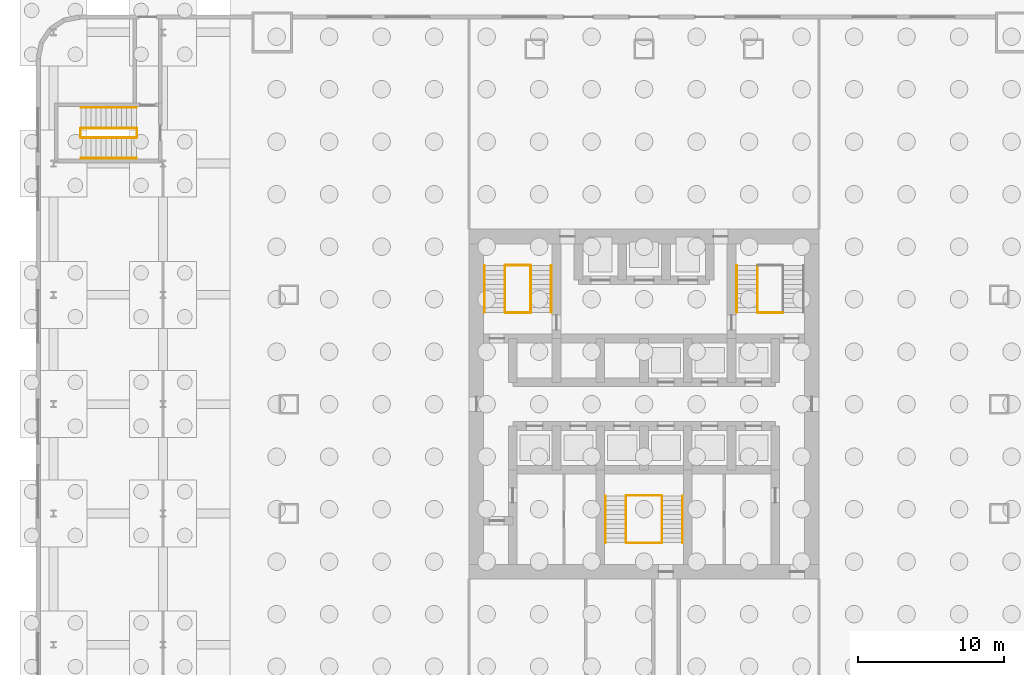
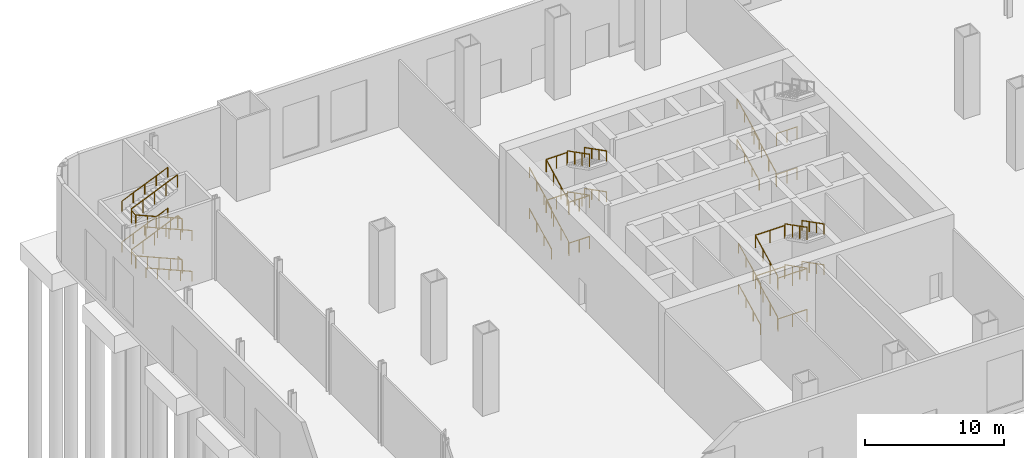
# One storey, part 8 of 10: 41 railings.
"""IFC4 building model written with IfcOpenShell, lengths in metres."""

from ifc_helpers import new_model, si_unit, direction, frame, origin, origin_2d, place, context, subcontext, project, spatial, circle, extrude, material, type_object, element, save


model = new_model("IFC4")

# Units and contexts
model_context = context("Model", 3, precision=1e-05, world=origin(), true_north=direction((0.0, 1.0)))
body_context = subcontext(model_context, "Body", "Model", "MODEL_VIEW")
ifc_project = project(units=[si_unit("LENGTHUNIT", "METRE"), si_unit("AREAUNIT", "SQUARE_METRE"), si_unit("VOLUMEUNIT", "CUBIC_METRE"), si_unit("PLANEANGLEUNIT", "RADIAN"), si_unit("MASSUNIT", "GRAM", prefix="KILO")], contexts=[model_context])

# Site, building, storey
site_placement = place(None, origin())
site = spatial("IfcSite", under=ifc_project, at=site_placement, CompositionType="ELEMENT")
building_placement = place(site_placement, origin())
building = spatial("IfcBuilding", under=site, at=building_placement, Name="Tarangal Relay Tower", CompositionType="ELEMENT")
storey_placement = place(building_placement, origin())
storey = spatial("IfcBuildingStorey", under=building, at=storey_placement, Name="L00", CompositionType="ELEMENT", Elevation=0.0)

# Railings
ifc_material_1 = material(Name="Steel guard, black finish", Category="steel")
railing_type_1 = type_object("IfcRailingType", Name="Stair guard 1100", PredefinedType="GUARDRAIL", material=ifc_material_1)
railing_1_placement = place(storey_placement, frame((-9.530029296875, 6.300048828125, 0.16357421875)))
element("IfcRailing", 1, at=railing_1_placement, inside=storey, type_object=railing_type_1, Name="Stair ST-A guard GR1 L00 flight 1", PredefinedType="GUARDRAIL", context=body_context, shape_type="SweptSolid", body=[
    extrude(circle(Radius=0.02392578125, at=origin_2d()), frame((0.0, 0.0, 1.076171875), z_axis=(0.0, 0.890328218293, 0.455319298636), x_axis=(-1.0, 0.0, 0.0)), (0.0, 0.0, 1.0), 3.59423828125),
    extrude(circle(Radius=0.02099609375, at=origin_2d()), origin(), (0.0, 0.0, 1.0), 1.052001953125),
    extrude(circle(Radius=0.02099609375, at=origin_2d()), frame((0.0, 1.066650390625, 0.54541015625)), (0.0, 0.0, 1.0), 1.052001953125),
    extrude(circle(Radius=0.02099609375, at=origin_2d()), frame((0.0, 2.13330078125, 1.091064453125)), (0.0, 0.0, 1.0), 1.052001953125),
    extrude(circle(Radius=0.02099609375, at=origin_2d()), frame((0.0, 3.199951171875, 1.636474609375)), (0.0, 0.0, 1.0), 1.052001953125),
])
railing_2_placement = place(storey_placement, frame((-7.77001953125, 9.5, 1.963623046875)))
element("IfcRailing", 2, at=railing_2_placement, inside=storey, type_object=railing_type_1, Name="Stair ST-A guard GR1 L00 flight 2", PredefinedType="GUARDRAIL", context=body_context, shape_type="SweptSolid", body=[
    extrude(circle(Radius=0.02392578125, at=origin_2d()), frame((0.0, 0.0, 1.076171875), z_axis=(0.0, -0.890328218293, 0.455319298636), x_axis=(1.0, 0.0, 0.0)), (0.0, 0.0, 1.0), 3.59423828125),
    extrude(circle(Radius=0.02099609375, at=origin_2d()), origin(), (0.0, 0.0, 1.0), 1.052001953125),
    extrude(circle(Radius=0.02099609375, at=origin_2d()), frame((0.0, -1.066650390625, 0.54541015625)), (0.0, 0.0, 1.0), 1.052001953125),
    extrude(circle(Radius=0.02099609375, at=origin_2d()), frame((0.0, -2.13330078125, 1.091064453125)), (0.0, 0.0, 1.0), 1.052001953125),
    extrude(circle(Radius=0.02099609375, at=origin_2d()), frame((0.0, -3.199951171875, 1.636474609375)), (0.0, 0.0, 1.0), 1.052001953125),
])
railing_3_placement = place(storey_placement, frame((-9.530029296875, 6.300048828125, 3.763671875)))
element("IfcRailing", 3, at=railing_3_placement, inside=storey, type_object=railing_type_1, Name="Stair ST-A guard GR1 L00 flight 3", PredefinedType="GUARDRAIL", context=body_context, shape_type="SweptSolid", body=[
    extrude(circle(Radius=0.02392578125, at=origin_2d()), frame((0.0, 0.0, 1.076171875), z_axis=(0.0, 0.890355754289, 0.455265450923), x_axis=(-1.0, 0.0, 0.0)), (0.0, 0.0, 1.0), 3.593994140625),
    extrude(circle(Radius=0.02099609375, at=origin_2d()), origin(), (0.0, 0.0, 1.0), 1.052001953125),
    extrude(circle(Radius=0.02099609375, at=origin_2d()), frame((0.0, 1.066650390625, 0.54541015625)), (0.0, 0.0, 1.0), 1.052001953125),
    extrude(circle(Radius=0.02099609375, at=origin_2d()), frame((0.0, 2.13330078125, 1.0908203125)), (0.0, 0.0, 1.0), 1.052001953125),
    extrude(circle(Radius=0.02099609375, at=origin_2d()), frame((0.0, 3.199951171875, 1.63623046875)), (0.0, 0.0, 1.0), 1.052001953125),
])
railing_4_placement = place(storey_placement, frame((-7.77001953125, 9.5, 5.563720703125)))
element("IfcRailing", 4, at=railing_4_placement, inside=storey, type_object=railing_type_1, Name="Stair ST-A guard GR1 L00 flight 4", PredefinedType="GUARDRAIL", context=body_context, shape_type="SweptSolid", body=[
    extrude(circle(Radius=0.02392578125, at=origin_2d()), frame((0.0, 0.0, 1.076171875), z_axis=(0.0, -0.890355754289, 0.455265450923), x_axis=(1.0, 0.0, 0.0)), (0.0, 0.0, 1.0), 3.593994140625),
    extrude(circle(Radius=0.02099609375, at=origin_2d()), origin(), (0.0, 0.0, 1.0), 1.052001953125),
    extrude(circle(Radius=0.02099609375, at=origin_2d()), frame((0.0, -1.066650390625, 0.54541015625)), (0.0, 0.0, 1.0), 1.052001953125),
    extrude(circle(Radius=0.02099609375, at=origin_2d()), frame((0.0, -2.13330078125, 1.0908203125)), (0.0, 0.0, 1.0), 1.052001953125),
    extrude(circle(Radius=0.02099609375, at=origin_2d()), frame((0.0, -3.199951171875, 1.63623046875)), (0.0, 0.0, 1.0), 1.052001953125),
])
for number, where, name in (
    (5, (-9.5, 6.27001953125, 0.0), "Stair ST-A landing guard GR1 L00"),
    (6, (-9.5, 9.530029296875, 1.800048828125), "Stair ST-A landing guard GR1 L00"),
    (7, (-9.5, 6.27001953125, 3.60009765625), "Stair ST-A landing guard GR1 L00"),
    (8, (-9.5, 9.530029296875, 5.39990234375), "Stair ST-A landing guard GR1 L00"),
):
    element("IfcRailing", number, at=place(storey_placement, frame(where)), inside=storey, type_object=railing_type_1, Name=name, PredefinedType="GUARDRAIL", context=body_context, shape_type="SweptSolid", body=[
        extrude(circle(Radius=0.02392578125, at=origin_2d()), frame((0.0, 0.0, 1.076171875), z_axis=(1.0, 0.0, 0.0), x_axis=(0.0, 1.0, 0.0)), (0.0, 0.0, 1.0), 1.699951171875),
        extrude(circle(Radius=0.02099609375, at=origin_2d()), origin(), (0.0, 0.0, 1.0), 1.052001953125),
        extrude(circle(Radius=0.02099609375, at=origin_2d()), frame((0.85009765625, 0.0, 0.0)), (0.0, 0.0, 1.0), 1.052001953125),
        extrude(circle(Radius=0.02099609375, at=origin_2d()), frame((1.699951171875, 0.0, 0.0)), (0.0, 0.0, 1.0), 1.052001953125),
    ])
railing_5_placement = place(storey_placement, frame((7.77001953125, 6.300048828125, 0.16357421875)))
element("IfcRailing", 9, at=railing_5_placement, inside=storey, type_object=railing_type_1, Name="Stair ST-B guard GR1 L00 flight 1", PredefinedType="GUARDRAIL", context=body_context, shape_type="SweptSolid", body=[
    extrude(circle(Radius=0.02392578125, at=origin_2d()), frame((0.0, 0.0, 1.076171875), z_axis=(0.0, 0.890328218293, 0.455319298636), x_axis=(-1.0, 0.0, 0.0)), (0.0, 0.0, 1.0), 3.59423828125),
    extrude(circle(Radius=0.02099609375, at=origin_2d()), origin(), (0.0, 0.0, 1.0), 1.052001953125),
    extrude(circle(Radius=0.02099609375, at=origin_2d()), frame((0.0, 1.066650390625, 0.54541015625)), (0.0, 0.0, 1.0), 1.052001953125),
    extrude(circle(Radius=0.02099609375, at=origin_2d()), frame((0.0, 2.13330078125, 1.091064453125)), (0.0, 0.0, 1.0), 1.052001953125),
    extrude(circle(Radius=0.02099609375, at=origin_2d()), frame((0.0, 3.199951171875, 1.636474609375)), (0.0, 0.0, 1.0), 1.052001953125),
])
for number, where, name in (
    (10, (7.800048828125, 6.27001953125, 0.0), "Stair ST-B landing guard GR1 L00"),
    (11, (7.800048828125, 6.27001953125, 3.60009765625), "Stair ST-B landing guard GR1 L00"),
):
    element("IfcRailing", number, at=place(storey_placement, frame(where)), inside=storey, type_object=railing_type_1, Name=name, PredefinedType="GUARDRAIL", context=body_context, shape_type="SweptSolid", body=[
        extrude(circle(Radius=0.02392578125, at=origin_2d()), frame((0.0, 0.0, 1.076171875), z_axis=(1.0, 0.0, 0.0), x_axis=(0.0, 1.0, 0.0)), (0.0, 0.0, 1.0), 1.699951171875),
        extrude(circle(Radius=0.02099609375, at=origin_2d()), origin(), (0.0, 0.0, 1.0), 1.052001953125),
        extrude(circle(Radius=0.02099609375, at=origin_2d()), frame((0.85009765625, 0.0, 0.0)), (0.0, 0.0, 1.0), 1.052001953125),
        extrude(circle(Radius=0.02099609375, at=origin_2d()), frame((1.699951171875, 0.0, 0.0)), (0.0, 0.0, 1.0), 1.052001953125),
    ])
railing_6_placement = place(storey_placement, frame((-1.22998046875, -9.5, 0.16357421875)))
element("IfcRailing", 12, at=railing_6_placement, inside=storey, type_object=railing_type_1, Name="Stair ST-C guard GR1 L00 flight 1", PredefinedType="GUARDRAIL", context=body_context, shape_type="SweptSolid", body=[
    extrude(circle(Radius=0.02392578125, at=origin_2d()), frame((0.0, 0.0, 1.076171875), z_axis=(0.0, 0.890328218293, 0.455319298636), x_axis=(-1.0, 0.0, 0.0)), (0.0, 0.0, 1.0), 3.59423828125),
    extrude(circle(Radius=0.02099609375, at=origin_2d()), origin(), (0.0, 0.0, 1.0), 1.052001953125),
    extrude(circle(Radius=0.02099609375, at=origin_2d()), frame((0.0, 1.066650390625, 0.54541015625)), (0.0, 0.0, 1.0), 1.052001953125),
    extrude(circle(Radius=0.02099609375, at=origin_2d()), frame((0.0, 2.13330078125, 1.091064453125)), (0.0, 0.0, 1.0), 1.052001953125),
    extrude(circle(Radius=0.02099609375, at=origin_2d()), frame((0.0, 3.199951171875, 1.636474609375)), (0.0, 0.0, 1.0), 1.052001953125),
])
railing_7_placement = place(storey_placement, frame((1.22998046875, -6.300048828125, 1.963623046875)))
element("IfcRailing", 13, at=railing_7_placement, inside=storey, type_object=railing_type_1, Name="Stair ST-C guard GR1 L00 flight 2", PredefinedType="GUARDRAIL", context=body_context, shape_type="SweptSolid", body=[
    extrude(circle(Radius=0.02392578125, at=origin_2d()), frame((0.0, 0.0, 1.076171875), z_axis=(0.0, -0.890328218293, 0.455319298636), x_axis=(1.0, 0.0, 0.0)), (0.0, 0.0, 1.0), 3.59423828125),
    extrude(circle(Radius=0.02099609375, at=origin_2d()), origin(), (0.0, 0.0, 1.0), 1.052001953125),
    extrude(circle(Radius=0.02099609375, at=origin_2d()), frame((0.0, -1.066650390625, 0.54541015625)), (0.0, 0.0, 1.0), 1.052001953125),
    extrude(circle(Radius=0.02099609375, at=origin_2d()), frame((0.0, -2.13330078125, 1.091064453125)), (0.0, 0.0, 1.0), 1.052001953125),
    extrude(circle(Radius=0.02099609375, at=origin_2d()), frame((0.0, -3.199951171875, 1.636474609375)), (0.0, 0.0, 1.0), 1.052001953125),
])
railing_8_placement = place(storey_placement, frame((-1.22998046875, -9.5, 3.763671875)))
element("IfcRailing", 14, at=railing_8_placement, inside=storey, type_object=railing_type_1, Name="Stair ST-C guard GR1 L00 flight 3", PredefinedType="GUARDRAIL", context=body_context, shape_type="SweptSolid", body=[
    extrude(circle(Radius=0.02392578125, at=origin_2d()), frame((0.0, 0.0, 1.076171875), z_axis=(0.0, 0.890355754289, 0.455265450923), x_axis=(-1.0, 0.0, 0.0)), (0.0, 0.0, 1.0), 3.593994140625),
    extrude(circle(Radius=0.02099609375, at=origin_2d()), origin(), (0.0, 0.0, 1.0), 1.052001953125),
    extrude(circle(Radius=0.02099609375, at=origin_2d()), frame((0.0, 1.066650390625, 0.54541015625)), (0.0, 0.0, 1.0), 1.052001953125),
    extrude(circle(Radius=0.02099609375, at=origin_2d()), frame((0.0, 2.13330078125, 1.0908203125)), (0.0, 0.0, 1.0), 1.052001953125),
    extrude(circle(Radius=0.02099609375, at=origin_2d()), frame((0.0, 3.199951171875, 1.63623046875)), (0.0, 0.0, 1.0), 1.052001953125),
])
railing_9_placement = place(storey_placement, frame((1.22998046875, -6.300048828125, 5.563720703125)))
element("IfcRailing", 15, at=railing_9_placement, inside=storey, type_object=railing_type_1, Name="Stair ST-C guard GR1 L00 flight 4", PredefinedType="GUARDRAIL", context=body_context, shape_type="SweptSolid", body=[
    extrude(circle(Radius=0.02392578125, at=origin_2d()), frame((0.0, 0.0, 1.076171875), z_axis=(0.0, -0.890355754289, 0.455265450923), x_axis=(1.0, 0.0, 0.0)), (0.0, 0.0, 1.0), 3.593994140625),
    extrude(circle(Radius=0.02099609375, at=origin_2d()), origin(), (0.0, 0.0, 1.0), 1.052001953125),
    extrude(circle(Radius=0.02099609375, at=origin_2d()), frame((0.0, -1.066650390625, 0.54541015625)), (0.0, 0.0, 1.0), 1.052001953125),
    extrude(circle(Radius=0.02099609375, at=origin_2d()), frame((0.0, -2.13330078125, 1.0908203125)), (0.0, 0.0, 1.0), 1.052001953125),
    extrude(circle(Radius=0.02099609375, at=origin_2d()), frame((0.0, -3.199951171875, 1.63623046875)), (0.0, 0.0, 1.0), 1.052001953125),
])
for number, where, name in (
    (16, (-1.199951171875, -9.530029296875, 0.0), "Stair ST-C landing guard GR1 L00"),
    (17, (-1.199951171875, -6.27001953125, 1.800048828125), "Stair ST-C landing guard GR1 L00"),
    (18, (-1.199951171875, -9.530029296875, 3.60009765625), "Stair ST-C landing guard GR1 L00"),
    (19, (-1.199951171875, -6.27001953125, 5.39990234375), "Stair ST-C landing guard GR1 L00"),
):
    element("IfcRailing", number, at=place(storey_placement, frame(where)), inside=storey, type_object=railing_type_1, Name=name, PredefinedType="GUARDRAIL", context=body_context, shape_type="SweptSolid", body=[
        extrude(circle(Radius=0.02392578125, at=origin_2d()), frame((0.0, 0.0, 1.076171875), z_axis=(1.0, 0.0, 0.0), x_axis=(0.0, 1.0, 0.0)), (0.0, 0.0, 1.0), 2.39990234375),
        extrude(circle(Radius=0.02099609375, at=origin_2d()), origin(), (0.0, 0.0, 1.0), 1.052001953125),
        extrude(circle(Radius=0.02099609375, at=origin_2d()), frame((1.199951171875, 0.0, 0.0)), (0.0, 0.0, 1.0), 1.052001953125),
        extrude(circle(Radius=0.02099609375, at=origin_2d()), frame((2.39990234375, 0.0, 0.0)), (0.0, 0.0, 1.0), 1.052001953125),
    ])
railing_10_placement = place(storey_placement, frame((-34.800048828125, 18.27001953125, 0.14990234375)))
element("IfcRailing", 20, at=railing_10_placement, inside=storey, type_object=railing_type_1, Name="Stair ST-D guard GR1 L00 flight 1", PredefinedType="GUARDRAIL", context=body_context, shape_type="SweptSolid", body=[
    extrude(circle(Radius=0.02392578125, at=origin_2d()), frame((0.0, 0.0, 1.076171875), z_axis=(-0.918306833342, 0.0, 0.395869372189), x_axis=(0.0, -1.0, 0.0)), (0.0, 0.0, 1.0), 4.16845703125),
    extrude(circle(Radius=0.02099609375, at=origin_2d()), origin(), (0.0, 0.0, 1.0), 1.052001953125),
    extrude(circle(Radius=0.02099609375, at=origin_2d()), frame((-0.95703125, 0.0, 0.41259765625)), (0.0, 0.0, 1.0), 1.052001953125),
    extrude(circle(Radius=0.02099609375, at=origin_2d()), frame((-1.9140625, 0.0, 0.8251953125)), (0.0, 0.0, 1.0), 1.052001953125),
    extrude(circle(Radius=0.02099609375, at=origin_2d()), frame((-2.870849609375, 0.0, 1.237548828125)), (0.0, 0.0, 1.0), 1.052001953125),
    extrude(circle(Radius=0.02099609375, at=origin_2d()), frame((-3.827880859375, 0.0, 1.650146484375)), (0.0, 0.0, 1.0), 1.052001953125),
])
railing_11_placement = place(storey_placement, frame((-38.6279296875, 18.929931640625, 1.949951171875)))
element("IfcRailing", 21, at=railing_11_placement, inside=storey, type_object=railing_type_1, Name="Stair ST-D guard GR1 L00 flight 2", PredefinedType="GUARDRAIL", context=body_context, shape_type="SweptSolid", body=[
    extrude(circle(Radius=0.02392578125, at=origin_2d()), frame((0.0, 0.0, 1.076171875), z_axis=(0.918306833342, 0.0, 0.395869372189), x_axis=(0.0, 1.0, 0.0)), (0.0, 0.0, 1.0), 4.16845703125),
    extrude(circle(Radius=0.02099609375, at=origin_2d()), origin(), (0.0, 0.0, 1.0), 1.052001953125),
    extrude(circle(Radius=0.02099609375, at=origin_2d()), frame((0.95703125, 0.0, 0.41259765625)), (0.0, 0.0, 1.0), 1.052001953125),
    extrude(circle(Radius=0.02099609375, at=origin_2d()), frame((1.9140625, 0.0, 0.8251953125)), (0.0, 0.0, 1.0), 1.052001953125),
    extrude(circle(Radius=0.02099609375, at=origin_2d()), frame((2.870849609375, 0.0, 1.237548828125)), (0.0, 0.0, 1.0), 1.052001953125),
    extrude(circle(Radius=0.02099609375, at=origin_2d()), frame((3.827880859375, 0.0, 1.650146484375)), (0.0, 0.0, 1.0), 1.052001953125),
])
railing_12_placement = place(storey_placement, frame((-34.800048828125, 18.27001953125, 3.75)))
element("IfcRailing", 22, at=railing_12_placement, inside=storey, type_object=railing_type_1, Name="Stair ST-D guard GR1 L00 flight 3", PredefinedType="GUARDRAIL", context=body_context, shape_type="SweptSolid", body=[
    extrude(circle(Radius=0.02392578125, at=origin_2d()), frame((0.0, 0.0, 1.076171875), z_axis=(-0.91832812415, 0.0, 0.395819979782), x_axis=(0.0, -1.0, 0.0)), (0.0, 0.0, 1.0), 4.168212890625),
    extrude(circle(Radius=0.02099609375, at=origin_2d()), origin(), (0.0, 0.0, 1.0), 1.052001953125),
    extrude(circle(Radius=0.02099609375, at=origin_2d()), frame((-0.95703125, 0.0, 0.41259765625)), (0.0, 0.0, 1.0), 1.052001953125),
    extrude(circle(Radius=0.02099609375, at=origin_2d()), frame((-1.9140625, 0.0, 0.824951171875)), (0.0, 0.0, 1.0), 1.052001953125),
    extrude(circle(Radius=0.02099609375, at=origin_2d()), frame((-2.870849609375, 0.0, 1.2373046875)), (0.0, 0.0, 1.0), 1.052001953125),
    extrude(circle(Radius=0.02099609375, at=origin_2d()), frame((-3.827880859375, 0.0, 1.64990234375)), (0.0, 0.0, 1.0), 1.052001953125),
])
railing_13_placement = place(storey_placement, frame((-38.6279296875, 18.929931640625, 5.550048828125)))
element("IfcRailing", 23, at=railing_13_placement, inside=storey, type_object=railing_type_1, Name="Stair ST-D guard GR1 L00 flight 4", PredefinedType="GUARDRAIL", context=body_context, shape_type="SweptSolid", body=[
    extrude(circle(Radius=0.02392578125, at=origin_2d()), frame((0.0, 0.0, 1.076171875), z_axis=(0.91832812415, 0.0, 0.395819979782), x_axis=(0.0, 1.0, 0.0)), (0.0, 0.0, 1.0), 4.168212890625),
    extrude(circle(Radius=0.02099609375, at=origin_2d()), origin(), (0.0, 0.0, 1.0), 1.052001953125),
    extrude(circle(Radius=0.02099609375, at=origin_2d()), frame((0.95703125, 0.0, 0.41259765625)), (0.0, 0.0, 1.0), 1.052001953125),
    extrude(circle(Radius=0.02099609375, at=origin_2d()), frame((1.9140625, 0.0, 0.824951171875)), (0.0, 0.0, 1.0), 1.052001953125),
    extrude(circle(Radius=0.02099609375, at=origin_2d()), frame((2.870849609375, 0.0, 1.2373046875)), (0.0, 0.0, 1.0), 1.052001953125),
    extrude(circle(Radius=0.02099609375, at=origin_2d()), frame((3.827880859375, 0.0, 1.64990234375)), (0.0, 0.0, 1.0), 1.052001953125),
])
for number, where, name in (
    (24, (-34.77001953125, 18.300048828125, 0.0), "Stair ST-D landing guard GR1 L00"),
    (25, (-38.657958984375, 18.300048828125, 1.800048828125), "Stair ST-D landing guard GR1 L00"),
    (26, (-34.77001953125, 18.300048828125, 3.60009765625), "Stair ST-D landing guard GR1 L00"),
    (27, (-38.657958984375, 18.300048828125, 5.39990234375), "Stair ST-D landing guard GR1 L00"),
):
    element("IfcRailing", number, at=place(storey_placement, frame(where)), inside=storey, type_object=railing_type_1, Name=name, PredefinedType="GUARDRAIL", context=body_context, shape_type="SweptSolid", body=[
        extrude(circle(Radius=0.02392578125, at=origin_2d()), frame((0.0, 0.0, 1.076171875), z_axis=(0.0, 1.0, 0.0), x_axis=(-1.0, 0.0, 0.0)), (0.0, 0.0, 1.0), 0.599853515625),
        extrude(circle(Radius=0.02099609375, at=origin_2d()), origin(), (0.0, 0.0, 1.0), 1.052001953125),
        extrude(circle(Radius=0.02099609375, at=origin_2d()), frame((0.0, 0.599853515625, 0.0)), (0.0, 0.0, 1.0), 1.052001953125),
    ])
ifc_material_2 = material(Name="Steel handrail, black finish", Category="steel")
railing_type_2 = type_object("IfcRailingType", Name="Stair handrail 900", PredefinedType="HANDRAIL", material=ifc_material_2)
railing_14_placement = place(storey_placement, frame((-10.93994140625, 6.300048828125, 0.16357421875)))
element("IfcRailing", 28, at=railing_14_placement, inside=storey, type_object=railing_type_2, Name="Stair ST-A handrail HR1 L00 flight 1", PredefinedType="HANDRAIL", context=body_context, shape_type="SweptSolid", body=[
    extrude(circle(Radius=0.02392578125, at=origin_2d()), frame((0.0, 0.0, 0.8759765625), z_axis=(0.0, 0.890328218293, 0.455319298636), x_axis=(-1.0, 0.0, 0.0)), (0.0, 0.0, 1.0), 3.59423828125),
    extrude(circle(Radius=0.02099609375, at=origin_2d()), origin(), (0.0, 0.0, 1.0), 0.851806640625),
    extrude(circle(Radius=0.02099609375, at=origin_2d()), frame((0.0, 1.066650390625, 0.54541015625)), (0.0, 0.0, 1.0), 0.851806640625),
    extrude(circle(Radius=0.02099609375, at=origin_2d()), frame((0.0, 2.13330078125, 1.091064453125)), (0.0, 0.0, 1.0), 0.851806640625),
    extrude(circle(Radius=0.02099609375, at=origin_2d()), frame((0.0, 3.199951171875, 1.636474609375)), (0.0, 0.0, 1.0), 0.851806640625),
])
railing_15_placement = place(storey_placement, frame((-6.360107421875, 9.5, 1.963623046875)))
element("IfcRailing", 29, at=railing_15_placement, inside=storey, type_object=railing_type_2, Name="Stair ST-A handrail HR1 L00 flight 2", PredefinedType="HANDRAIL", context=body_context, shape_type="SweptSolid", body=[
    extrude(circle(Radius=0.02392578125, at=origin_2d()), frame((0.0, 0.0, 0.8759765625), z_axis=(0.0, -0.890328218293, 0.455319298636), x_axis=(1.0, 0.0, 0.0)), (0.0, 0.0, 1.0), 3.59423828125),
    extrude(circle(Radius=0.02099609375, at=origin_2d()), origin(), (0.0, 0.0, 1.0), 0.851806640625),
    extrude(circle(Radius=0.02099609375, at=origin_2d()), frame((0.0, -1.066650390625, 0.54541015625)), (0.0, 0.0, 1.0), 0.851806640625),
    extrude(circle(Radius=0.02099609375, at=origin_2d()), frame((0.0, -2.13330078125, 1.091064453125)), (0.0, 0.0, 1.0), 0.851806640625),
    extrude(circle(Radius=0.02099609375, at=origin_2d()), frame((0.0, -3.199951171875, 1.636474609375)), (0.0, 0.0, 1.0), 0.851806640625),
])
railing_16_placement = place(storey_placement, frame((-10.93994140625, 6.300048828125, 3.763671875)))
element("IfcRailing", 30, at=railing_16_placement, inside=storey, type_object=railing_type_2, Name="Stair ST-A handrail HR1 L00 flight 3", PredefinedType="HANDRAIL", context=body_context, shape_type="SweptSolid", body=[
    extrude(circle(Radius=0.02392578125, at=origin_2d()), frame((0.0, 0.0, 0.8759765625), z_axis=(0.0, 0.890355754289, 0.455265450923), x_axis=(-1.0, 0.0, 0.0)), (0.0, 0.0, 1.0), 3.593994140625),
    extrude(circle(Radius=0.02099609375, at=origin_2d()), origin(), (0.0, 0.0, 1.0), 0.851806640625),
    extrude(circle(Radius=0.02099609375, at=origin_2d()), frame((0.0, 1.066650390625, 0.54541015625)), (0.0, 0.0, 1.0), 0.851806640625),
    extrude(circle(Radius=0.02099609375, at=origin_2d()), frame((0.0, 2.13330078125, 1.0908203125)), (0.0, 0.0, 1.0), 0.851806640625),
    extrude(circle(Radius=0.02099609375, at=origin_2d()), frame((0.0, 3.199951171875, 1.63623046875)), (0.0, 0.0, 1.0), 0.851806640625),
])
railing_17_placement = place(storey_placement, frame((-6.360107421875, 9.5, 5.563720703125)))
element("IfcRailing", 31, at=railing_17_placement, inside=storey, type_object=railing_type_2, Name="Stair ST-A handrail HR1 L00 flight 4", PredefinedType="HANDRAIL", context=body_context, shape_type="SweptSolid", body=[
    extrude(circle(Radius=0.02392578125, at=origin_2d()), frame((0.0, 0.0, 0.8759765625), z_axis=(0.0, -0.890355754289, 0.455265450923), x_axis=(1.0, 0.0, 0.0)), (0.0, 0.0, 1.0), 3.593994140625),
    extrude(circle(Radius=0.02099609375, at=origin_2d()), origin(), (0.0, 0.0, 1.0), 0.851806640625),
    extrude(circle(Radius=0.02099609375, at=origin_2d()), frame((0.0, -1.066650390625, 0.54541015625)), (0.0, 0.0, 1.0), 0.851806640625),
    extrude(circle(Radius=0.02099609375, at=origin_2d()), frame((0.0, -2.13330078125, 1.0908203125)), (0.0, 0.0, 1.0), 0.851806640625),
    extrude(circle(Radius=0.02099609375, at=origin_2d()), frame((0.0, -3.199951171875, 1.63623046875)), (0.0, 0.0, 1.0), 0.851806640625),
])
railing_18_placement = place(storey_placement, frame((6.360107421875, 6.300048828125, 0.16357421875)))
element("IfcRailing", 32, at=railing_18_placement, inside=storey, type_object=railing_type_2, Name="Stair ST-B handrail HR1 L00 flight 1", PredefinedType="HANDRAIL", context=body_context, shape_type="SweptSolid", body=[
    extrude(circle(Radius=0.02392578125, at=origin_2d()), frame((0.0, 0.0, 0.8759765625), z_axis=(0.0, 0.890328218293, 0.455319298636), x_axis=(-1.0, 0.0, 0.0)), (0.0, 0.0, 1.0), 3.59423828125),
    extrude(circle(Radius=0.02099609375, at=origin_2d()), origin(), (0.0, 0.0, 1.0), 0.851806640625),
    extrude(circle(Radius=0.02099609375, at=origin_2d()), frame((0.0, 1.066650390625, 0.54541015625)), (0.0, 0.0, 1.0), 0.851806640625),
    extrude(circle(Radius=0.02099609375, at=origin_2d()), frame((0.0, 2.13330078125, 1.091064453125)), (0.0, 0.0, 1.0), 0.851806640625),
    extrude(circle(Radius=0.02099609375, at=origin_2d()), frame((0.0, 3.199951171875, 1.636474609375)), (0.0, 0.0, 1.0), 0.851806640625),
])
railing_19_placement = place(storey_placement, frame((6.360107421875, 6.300048828125, 3.763671875)))
element("IfcRailing", 33, at=railing_19_placement, inside=storey, type_object=railing_type_2, Name="Stair ST-B handrail HR1 L00 flight 3", PredefinedType="HANDRAIL", context=body_context, shape_type="SweptSolid", body=[
    extrude(circle(Radius=0.02392578125, at=origin_2d()), frame((0.0, 0.0, 0.8759765625), z_axis=(0.0, 0.890355754289, 0.455265450923), x_axis=(-1.0, 0.0, 0.0)), (0.0, 0.0, 1.0), 3.593994140625),
    extrude(circle(Radius=0.02099609375, at=origin_2d()), origin(), (0.0, 0.0, 1.0), 0.851806640625),
    extrude(circle(Radius=0.02099609375, at=origin_2d()), frame((0.0, 1.066650390625, 0.54541015625)), (0.0, 0.0, 1.0), 0.851806640625),
    extrude(circle(Radius=0.02099609375, at=origin_2d()), frame((0.0, 2.13330078125, 1.0908203125)), (0.0, 0.0, 1.0), 0.851806640625),
    extrude(circle(Radius=0.02099609375, at=origin_2d()), frame((0.0, 3.199951171875, 1.63623046875)), (0.0, 0.0, 1.0), 0.851806640625),
])
railing_20_placement = place(storey_placement, frame((-2.639892578125, -9.5, 0.16357421875)))
element("IfcRailing", 34, at=railing_20_placement, inside=storey, type_object=railing_type_2, Name="Stair ST-C handrail HR1 L00 flight 1", PredefinedType="HANDRAIL", context=body_context, shape_type="SweptSolid", body=[
    extrude(circle(Radius=0.02392578125, at=origin_2d()), frame((0.0, 0.0, 0.8759765625), z_axis=(0.0, 0.890328218293, 0.455319298636), x_axis=(-1.0, 0.0, 0.0)), (0.0, 0.0, 1.0), 3.59423828125),
    extrude(circle(Radius=0.02099609375, at=origin_2d()), origin(), (0.0, 0.0, 1.0), 0.851806640625),
    extrude(circle(Radius=0.02099609375, at=origin_2d()), frame((0.0, 1.066650390625, 0.54541015625)), (0.0, 0.0, 1.0), 0.851806640625),
    extrude(circle(Radius=0.02099609375, at=origin_2d()), frame((0.0, 2.13330078125, 1.091064453125)), (0.0, 0.0, 1.0), 0.851806640625),
    extrude(circle(Radius=0.02099609375, at=origin_2d()), frame((0.0, 3.199951171875, 1.636474609375)), (0.0, 0.0, 1.0), 0.851806640625),
])
railing_21_placement = place(storey_placement, frame((2.639892578125, -6.300048828125, 1.963623046875)))
element("IfcRailing", 35, at=railing_21_placement, inside=storey, type_object=railing_type_2, Name="Stair ST-C handrail HR1 L00 flight 2", PredefinedType="HANDRAIL", context=body_context, shape_type="SweptSolid", body=[
    extrude(circle(Radius=0.02392578125, at=origin_2d()), frame((0.0, 0.0, 0.8759765625), z_axis=(0.0, -0.890328218293, 0.455319298636), x_axis=(1.0, 0.0, 0.0)), (0.0, 0.0, 1.0), 3.59423828125),
    extrude(circle(Radius=0.02099609375, at=origin_2d()), origin(), (0.0, 0.0, 1.0), 0.851806640625),
    extrude(circle(Radius=0.02099609375, at=origin_2d()), frame((0.0, -1.066650390625, 0.54541015625)), (0.0, 0.0, 1.0), 0.851806640625),
    extrude(circle(Radius=0.02099609375, at=origin_2d()), frame((0.0, -2.13330078125, 1.091064453125)), (0.0, 0.0, 1.0), 0.851806640625),
    extrude(circle(Radius=0.02099609375, at=origin_2d()), frame((0.0, -3.199951171875, 1.636474609375)), (0.0, 0.0, 1.0), 0.851806640625),
])
railing_22_placement = place(storey_placement, frame((-2.639892578125, -9.5, 3.763671875)))
element("IfcRailing", 36, at=railing_22_placement, inside=storey, type_object=railing_type_2, Name="Stair ST-C handrail HR1 L00 flight 3", PredefinedType="HANDRAIL", context=body_context, shape_type="SweptSolid", body=[
    extrude(circle(Radius=0.02392578125, at=origin_2d()), frame((0.0, 0.0, 0.8759765625), z_axis=(0.0, 0.890355754289, 0.455265450923), x_axis=(-1.0, 0.0, 0.0)), (0.0, 0.0, 1.0), 3.593994140625),
    extrude(circle(Radius=0.02099609375, at=origin_2d()), origin(), (0.0, 0.0, 1.0), 0.851806640625),
    extrude(circle(Radius=0.02099609375, at=origin_2d()), frame((0.0, 1.066650390625, 0.54541015625)), (0.0, 0.0, 1.0), 0.851806640625),
    extrude(circle(Radius=0.02099609375, at=origin_2d()), frame((0.0, 2.13330078125, 1.0908203125)), (0.0, 0.0, 1.0), 0.851806640625),
    extrude(circle(Radius=0.02099609375, at=origin_2d()), frame((0.0, 3.199951171875, 1.63623046875)), (0.0, 0.0, 1.0), 0.851806640625),
])
railing_23_placement = place(storey_placement, frame((2.639892578125, -6.300048828125, 5.563720703125)))
element("IfcRailing", 37, at=railing_23_placement, inside=storey, type_object=railing_type_2, Name="Stair ST-C handrail HR1 L00 flight 4", PredefinedType="HANDRAIL", context=body_context, shape_type="SweptSolid", body=[
    extrude(circle(Radius=0.02392578125, at=origin_2d()), frame((0.0, 0.0, 0.8759765625), z_axis=(0.0, -0.890355754289, 0.455265450923), x_axis=(1.0, 0.0, 0.0)), (0.0, 0.0, 1.0), 3.593994140625),
    extrude(circle(Radius=0.02099609375, at=origin_2d()), origin(), (0.0, 0.0, 1.0), 0.851806640625),
    extrude(circle(Radius=0.02099609375, at=origin_2d()), frame((0.0, -1.066650390625, 0.54541015625)), (0.0, 0.0, 1.0), 0.851806640625),
    extrude(circle(Radius=0.02099609375, at=origin_2d()), frame((0.0, -2.13330078125, 1.0908203125)), (0.0, 0.0, 1.0), 0.851806640625),
    extrude(circle(Radius=0.02099609375, at=origin_2d()), frame((0.0, -3.199951171875, 1.63623046875)), (0.0, 0.0, 1.0), 0.851806640625),
])
railing_24_placement = place(storey_placement, frame((-34.800048828125, 16.860107421875, 0.14990234375)))
element("IfcRailing", 38, at=railing_24_placement, inside=storey, type_object=railing_type_2, Name="Stair ST-D handrail HR1 L00 flight 1", PredefinedType="HANDRAIL", context=body_context, shape_type="SweptSolid", body=[
    extrude(circle(Radius=0.02392578125, at=origin_2d()), frame((0.0, 0.0, 0.8759765625), z_axis=(-0.918306833342, 0.0, 0.395869372189), x_axis=(0.0, -1.0, 0.0)), (0.0, 0.0, 1.0), 4.16845703125),
    extrude(circle(Radius=0.02099609375, at=origin_2d()), origin(), (0.0, 0.0, 1.0), 0.851806640625),
    extrude(circle(Radius=0.02099609375, at=origin_2d()), frame((-0.95703125, 0.0, 0.41259765625)), (0.0, 0.0, 1.0), 0.851806640625),
    extrude(circle(Radius=0.02099609375, at=origin_2d()), frame((-1.9140625, 0.0, 0.8251953125)), (0.0, 0.0, 1.0), 0.851806640625),
    extrude(circle(Radius=0.02099609375, at=origin_2d()), frame((-2.870849609375, 0.0, 1.237548828125)), (0.0, 0.0, 1.0), 0.851806640625),
    extrude(circle(Radius=0.02099609375, at=origin_2d()), frame((-3.827880859375, 0.0, 1.650146484375)), (0.0, 0.0, 1.0), 0.851806640625),
])
railing_25_placement = place(storey_placement, frame((-38.6279296875, 20.340087890625, 1.949951171875)))
element("IfcRailing", 39, at=railing_25_placement, inside=storey, type_object=railing_type_2, Name="Stair ST-D handrail HR1 L00 flight 2", PredefinedType="HANDRAIL", context=body_context, shape_type="SweptSolid", body=[
    extrude(circle(Radius=0.02392578125, at=origin_2d()), frame((0.0, 0.0, 0.8759765625), z_axis=(0.918306833342, 0.0, 0.395869372189), x_axis=(0.0, 1.0, 0.0)), (0.0, 0.0, 1.0), 4.16845703125),
    extrude(circle(Radius=0.02099609375, at=origin_2d()), origin(), (0.0, 0.0, 1.0), 0.851806640625),
    extrude(circle(Radius=0.02099609375, at=origin_2d()), frame((0.95703125, 0.0, 0.41259765625)), (0.0, 0.0, 1.0), 0.851806640625),
    extrude(circle(Radius=0.02099609375, at=origin_2d()), frame((1.9140625, 0.0, 0.8251953125)), (0.0, 0.0, 1.0), 0.851806640625),
    extrude(circle(Radius=0.02099609375, at=origin_2d()), frame((2.870849609375, 0.0, 1.237548828125)), (0.0, 0.0, 1.0), 0.851806640625),
    extrude(circle(Radius=0.02099609375, at=origin_2d()), frame((3.827880859375, 0.0, 1.650146484375)), (0.0, 0.0, 1.0), 0.851806640625),
])
railing_26_placement = place(storey_placement, frame((-34.800048828125, 16.860107421875, 3.75)))
element("IfcRailing", 40, at=railing_26_placement, inside=storey, type_object=railing_type_2, Name="Stair ST-D handrail HR1 L00 flight 3", PredefinedType="HANDRAIL", context=body_context, shape_type="SweptSolid", body=[
    extrude(circle(Radius=0.02392578125, at=origin_2d()), frame((0.0, 0.0, 0.8759765625), z_axis=(-0.91832812415, 0.0, 0.395819979782), x_axis=(0.0, -1.0, 0.0)), (0.0, 0.0, 1.0), 4.168212890625),
    extrude(circle(Radius=0.02099609375, at=origin_2d()), origin(), (0.0, 0.0, 1.0), 0.851806640625),
    extrude(circle(Radius=0.02099609375, at=origin_2d()), frame((-0.95703125, 0.0, 0.41259765625)), (0.0, 0.0, 1.0), 0.851806640625),
    extrude(circle(Radius=0.02099609375, at=origin_2d()), frame((-1.9140625, 0.0, 0.824951171875)), (0.0, 0.0, 1.0), 0.851806640625),
    extrude(circle(Radius=0.02099609375, at=origin_2d()), frame((-2.870849609375, 0.0, 1.2373046875)), (0.0, 0.0, 1.0), 0.851806640625),
    extrude(circle(Radius=0.02099609375, at=origin_2d()), frame((-3.827880859375, 0.0, 1.64990234375)), (0.0, 0.0, 1.0), 0.851806640625),
])
railing_27_placement = place(storey_placement, frame((-38.6279296875, 20.340087890625, 5.550048828125)))
element("IfcRailing", 41, at=railing_27_placement, inside=storey, type_object=railing_type_2, Name="Stair ST-D handrail HR1 L00 flight 4", PredefinedType="HANDRAIL", context=body_context, shape_type="SweptSolid", body=[
    extrude(circle(Radius=0.02392578125, at=origin_2d()), frame((0.0, 0.0, 0.8759765625), z_axis=(0.91832812415, 0.0, 0.395819979782), x_axis=(0.0, 1.0, 0.0)), (0.0, 0.0, 1.0), 4.168212890625),
    extrude(circle(Radius=0.02099609375, at=origin_2d()), origin(), (0.0, 0.0, 1.0), 0.851806640625),
    extrude(circle(Radius=0.02099609375, at=origin_2d()), frame((0.95703125, 0.0, 0.41259765625)), (0.0, 0.0, 1.0), 0.851806640625),
    extrude(circle(Radius=0.02099609375, at=origin_2d()), frame((1.9140625, 0.0, 0.824951171875)), (0.0, 0.0, 1.0), 0.851806640625),
    extrude(circle(Radius=0.02099609375, at=origin_2d()), frame((2.870849609375, 0.0, 1.2373046875)), (0.0, 0.0, 1.0), 0.851806640625),
    extrude(circle(Radius=0.02099609375, at=origin_2d()), frame((3.827880859375, 0.0, 1.64990234375)), (0.0, 0.0, 1.0), 0.851806640625),
])

save(model, "model.ifc")
